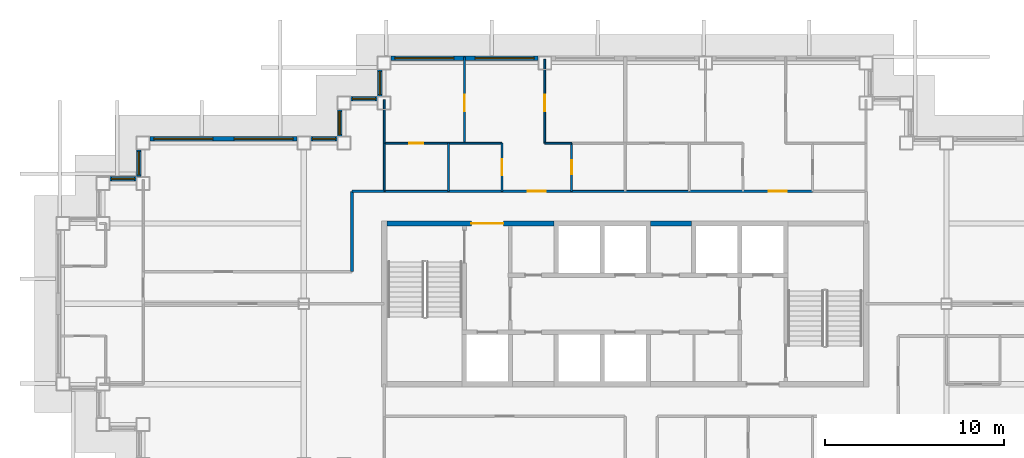
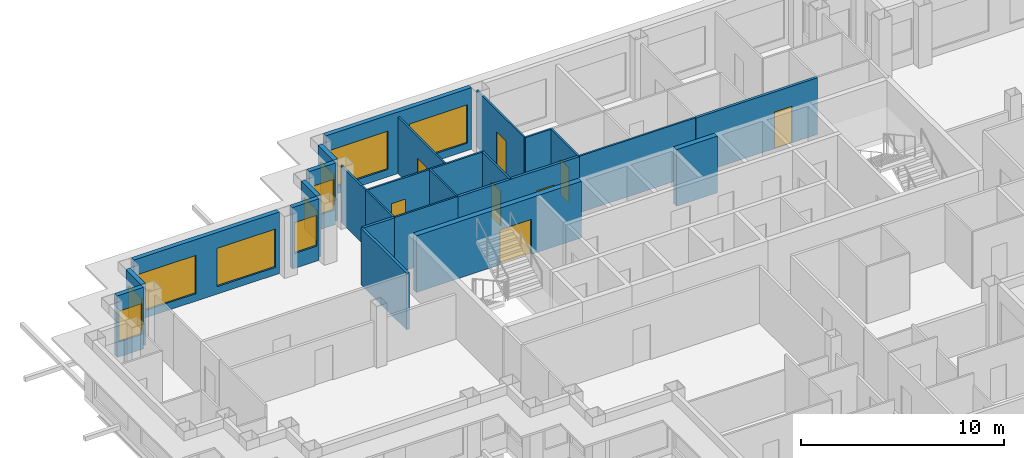
# One storey, part 8 of 15: 26 walls, 10 windows, 8 doors, 18 openings.
"""IFC4 building model written with IfcOpenShell, lengths in metres."""

from ifc_helpers import new_model, si_unit, direction, frame, frame_2d, origin, place, context, subcontext, project, spatial, rectangle, extrude, material, layer, layer_set, type_object, element, fill, save


model = new_model("IFC4")

# Units and contexts
model_context = context("Model", 3, precision=1e-05, world=origin(), true_north=direction((0.0, 1.0)))
body_context = subcontext(model_context, "Body", "Model", "MODEL_VIEW")
ifc_project = project(units=[si_unit("LENGTHUNIT", "METRE"), si_unit("AREAUNIT", "SQUARE_METRE"), si_unit("VOLUMEUNIT", "CUBIC_METRE"), si_unit("PLANEANGLEUNIT", "RADIAN"), si_unit("MASSUNIT", "GRAM", prefix="KILO")], contexts=[model_context])

# Site, building, storey
site_placement = place(None, origin())
site = spatial("IfcSite", under=ifc_project, at=site_placement, CompositionType="ELEMENT")
building_placement = place(site_placement, origin())
building = spatial("IfcBuilding", under=site, at=building_placement, Name="Caravel Reach Hotel and Residences", CompositionType="ELEMENT")
storey_placement = place(building_placement, frame((0.0, 0.0, 172.800048828125)))
storey = spatial("IfcBuildingStorey", under=building, at=storey_placement, Name="L43", CompositionType="ELEMENT", Elevation=172.800048828125)

# Walls
ifc_material_1 = material(Name="Gypsum board on steel stud", Category="steel")
ifc_layer_1 = layer(ifc_material_1, 0.10009765625)
ifc_layer_set_1 = layer_set([ifc_layer_1], Name="Bathroom pod wall 100 mm")
wall_type_1 = type_object("IfcWallType", Name="Bathroom pod wall 100 mm", PredefinedType="PARTITIONING", material=ifc_layer_set_1)
wall_1_placement = place(storey_placement, frame((28.5, 33.300048828125, 0.0), z_axis=(0.0, 0.0, 1.0), x_axis=(1.0, 0.0, 0.0)))
element("IfcWall", 1, at=wall_1_placement, inside=storey, type_object=wall_type_1, Name="L43 wall w098", PredefinedType="PARTITIONING", context=body_context, shape_type="SweptSolid", body=[
    extrude(rectangle(XDim=6.60009765625, YDim=0.10009765625, at=frame_2d((3.300048828125, 0.0))), origin(), (0.0, 0.0, 1.0), 3.39990234375),
])
wall_2_placement = place(storey_placement, frame((18.0, 33.300048828125, 0.0), z_axis=(0.0, 0.0, 1.0), x_axis=(1.0, 0.0, 0.0)))
element("IfcWall", 2, at=wall_2_placement, inside=storey, type_object=wall_type_1, Name="L43 wall w099", PredefinedType="PARTITIONING", context=body_context, shape_type="SweptSolid", body=[
    extrude(rectangle(XDim=3.60009765625, YDim=0.10009765625, at=frame_2d((1.800048828125, 0.0))), origin(), (0.0, 0.0, 1.0), 3.39990234375),
])

# Wall, opening, door
wall_3_placement = place(storey_placement, frame((18.0, 36.0, 0.0), z_axis=(0.0, 0.0, 1.0), x_axis=(1.0, 0.0, 0.0)))
wall_3 = element("IfcWall", 3, at=wall_3_placement, inside=storey, type_object=wall_type_1, Name="L43 wall w103", PredefinedType="PARTITIONING", context=body_context, shape_type="SweptSolid", body=[
    extrude(rectangle(XDim=3.60009765625, YDim=0.10009765625, at=frame_2d((1.800048828125, 0.0))), origin(), (0.0, 0.0, 1.0), 3.39990234375),
])
opening_1_placement = place(wall_3_placement, frame((1.39990234375, 0.0, 0.0)))
opening_1 = element("IfcOpeningElement", 4, at=opening_1_placement, cuts=wall_3, Name="Opening D43-018", PredefinedType="OPENING", context=body_context, shape_type="SweptSolid", body=[
    extrude(rectangle(XDim=0.800048828125, YDim=2.10009765625, at=frame_2d((0.39990234375, 1.050048828125))), frame((0.0, 0.06005859375, 0.0), z_axis=(0.0, -1.0, 0.0), x_axis=(1.0, 0.0, 0.0)), (0.0, 0.0, 1.0), 0.1201171875),
])
ifc_material_2 = material(Name="Timber and steel door leaf", Category="steel")
door_type_1 = type_object("IfcDoorType", Name="Bathroom door 800 x 2100", OperationType="SINGLE_SWING_LEFT", PredefinedType="DOOR", material=ifc_material_2)
door_1_placement = place(opening_1_placement, origin())
door_1 = element("IfcDoor", 5, at=door_1_placement, inside=storey, type_object=door_type_1, Name="door D43-018", OperationType="SINGLE_SWING_RIGHT", OverallHeight=2.10009765625, OverallWidth=0.800048828125, PredefinedType="DOOR", context=body_context, shape_type="SweptSolid", body=[
    extrude(rectangle(XDim=0.800048828125, YDim=2.10009765625, at=frame_2d((0.39990234375, 1.050048828125))), frame((0.0, 0.02490234375, 0.0), z_axis=(0.0, -1.0, 0.0), x_axis=(1.0, 0.0, 0.0)), (0.0, 0.0, 1.0), 0.050048828125),
])
fill(opening_1, door_1)

# Walls
wall_4_placement = place(storey_placement, frame((18.0, 33.301025390625, 0.0), z_axis=(0.0, 0.0, 1.0), x_axis=(0.0, 1.0, 0.0)))
element("IfcWall", 6, at=wall_4_placement, inside=storey, type_object=wall_type_1, Name="L43 wall w106", PredefinedType="PARTITIONING", context=body_context, shape_type="SweptSolid", body=[
    extrude(rectangle(XDim=2.698974609375, YDim=0.10009765625, at=frame_2d((1.349609375, 0.0))), origin(), (0.0, 0.0, 1.0), 3.39990234375),
])
wall_5_placement = place(storey_placement, frame((21.60009765625, 33.300048828125, 0.0), z_axis=(0.0, 0.0, 1.0), x_axis=(0.0, 1.0, 0.0)))
element("IfcWall", 7, at=wall_5_placement, inside=storey, type_object=wall_type_1, Name="L43 wall w108", PredefinedType="PARTITIONING", context=body_context, shape_type="SweptSolid", body=[
    extrude(rectangle(XDim=2.699951171875, YDim=0.10009765625, at=frame_2d((1.35009765625, 0.0))), origin(), (0.0, 0.0, 1.0), 3.39990234375),
])

# Wall, opening, door
wall_6_placement = place(storey_placement, frame((28.5, 33.300048828125, 0.0), z_axis=(0.0, 0.0, 1.0), x_axis=(0.0, 1.0, 0.0)))
wall_6 = element("IfcWall", 8, at=wall_6_placement, inside=storey, type_object=wall_type_1, Name="L43 wall w110", PredefinedType="PARTITIONING", context=body_context, shape_type="SweptSolid", body=[
    extrude(rectangle(XDim=2.699951171875, YDim=0.10009765625, at=frame_2d((1.35009765625, 0.0))), origin(), (0.0, 0.0, 1.0), 3.39990234375),
])
opening_2_placement = place(wall_6_placement, frame((0.949951171875, 0.0, 0.0)))
opening_2 = element("IfcOpeningElement", 9, at=opening_2_placement, cuts=wall_6, Name="Opening D43-020", PredefinedType="OPENING", context=body_context, shape_type="SweptSolid", body=[
    extrude(rectangle(XDim=0.800048828125, YDim=2.10009765625, at=frame_2d((0.39990234375, 1.050048828125))), frame((0.0, 0.06005859375, 0.0), z_axis=(0.0, -1.0, 0.0), x_axis=(1.0, 0.0, 0.0)), (0.0, 0.0, 1.0), 0.1201171875),
])
door_2_placement = place(opening_2_placement, origin())
door_2 = element("IfcDoor", 10, at=door_2_placement, inside=storey, type_object=door_type_1, Name="door D43-020", OperationType="SINGLE_SWING_RIGHT", OverallHeight=2.10009765625, OverallWidth=0.800048828125, PredefinedType="DOOR", context=body_context, shape_type="SweptSolid", body=[
    extrude(rectangle(XDim=0.800048828125, YDim=2.10009765625, at=frame_2d((0.39990234375, 1.050048828125))), frame((0.0, 0.02490234375, 0.0), z_axis=(0.0, -1.0, 0.0), x_axis=(1.0, 0.0, 0.0)), (0.0, 0.0, 1.0), 0.050048828125),
])
fill(opening_2, door_2)

ifc_material_3 = material(Name="Concrete C60", Category="concrete")
ifc_layer_2 = layer(ifc_material_3, 0.300048828125)
ifc_layer_set_2 = layer_set([ifc_layer_2], Name="Core wall 300 mm EI 120")
wall_type_2 = type_object("IfcWallType", Name="Core wall 300 mm EI 120", PredefinedType="SHEAR", material=ifc_layer_set_2)
wall_7_placement = place(storey_placement, frame((18.14990234375, 31.5, 0.0), z_axis=(0.0, 0.0, 1.0), x_axis=(1.0, 0.0, 0.0)))
wall_7 = element("IfcWall", 11, at=wall_7_placement, inside=storey, type_object=wall_type_2, Name="L43 core wall N1", PredefinedType="SHEAR", context=body_context, shape_type="SweptSolid", body=[
    extrude(rectangle(XDim=9.367919921875, YDim=0.300048828125, at=frame_2d((4.68408203125, 0.0))), origin(), (0.0, 0.0, 1.0), 3.39990234375),
])
opening_3_placement = place(wall_7_placement, frame((4.735595703125, 0.0, 0.0)))
opening_3 = element("IfcOpeningElement", 12, at=opening_3_placement, cuts=wall_7, Name="Opening D43-015", PredefinedType="OPENING", context=body_context, shape_type="SweptSolid", body=[
    extrude(rectangle(XDim=1.800048828125, YDim=2.10009765625, at=frame_2d((0.89990234375, 1.050048828125))), frame((0.0, 0.159912109375, 0.0), z_axis=(0.0, -1.0, 0.0), x_axis=(1.0, 0.0, 0.0)), (0.0, 0.0, 1.0), 0.320068359375),
])
ifc_material_4 = material(Name="Steel fire door leaf", Category="steel")
door_type_2 = type_object("IfcDoorType", Name="Fire lobby door pair 1800 x 2100 EI 90", OperationType="DOUBLE_DOOR_SINGLE_SWING", PredefinedType="DOOR", material=ifc_material_4)
door_3_placement = place(opening_3_placement, origin())
door_3 = element("IfcDoor", 13, at=door_3_placement, inside=storey, type_object=door_type_2, Name="lobby N door pair to corridor", OperationType="DOUBLE_DOOR_SINGLE_SWING", OverallHeight=2.10009765625, OverallWidth=1.800048828125, PredefinedType="DOOR", context=body_context, shape_type="SweptSolid", body=[
    extrude(rectangle(XDim=1.800048828125, YDim=2.10009765625, at=frame_2d((0.89990234375, 1.050048828125))), frame((0.0, 0.02490234375, 0.0), z_axis=(0.0, -1.0, 0.0), x_axis=(1.0, 0.0, 0.0)), (0.0, 0.0, 1.0), 0.050048828125),
])
fill(opening_3, door_3)

# Wall
wall_8_placement = place(storey_placement, frame((32.91064453125, 31.5, 0.0), z_axis=(0.0, 0.0, 1.0), x_axis=(1.0, 0.0, 0.0)))
element("IfcWall", 14, at=wall_8_placement, inside=storey, type_object=wall_type_2, Name="L43 core wall N2", PredefinedType="SHEAR", context=body_context, shape_type="SweptSolid", body=[
    extrude(rectangle(XDim=2.321533203125, YDim=0.300048828125, at=frame_2d((1.16064453125, 0.0))), origin(), (0.0, 0.0, 1.0), 3.39990234375),
])

# Wall, opening, door
ifc_material_5 = material(Name="Gypsum board on steel stud, fire-rated", Category="steel")
ifc_layer_3 = layer(ifc_material_5, 0.14990234375)
ifc_layer_set_3 = layer_set([ifc_layer_3], Name="Corridor wall 150 mm EI 60")
wall_type_3 = type_object("IfcWallType", Name="Corridor wall 150 mm EI 60", PredefinedType="PARTITIONING", material=ifc_layer_set_3)
wall_9_placement = place(storey_placement, frame((21.60009765625, 33.300048828125, 0.0), z_axis=(0.0, 0.0, 1.0), x_axis=(1.0, 0.0, 0.0)))
wall_9 = element("IfcWall", 15, at=wall_9_placement, inside=storey, type_object=wall_type_3, Name="L43 wall w014", PredefinedType="PARTITIONING", context=body_context, shape_type="SweptSolid", body=[
    extrude(rectangle(XDim=6.89990234375, YDim=0.14990234375, at=frame_2d((3.449951171875, 0.0))), origin(), (0.0, 0.0, 1.0), 3.39990234375),
])
opening_4_placement = place(wall_9_placement, frame((4.449951171875, 0.0, 0.0)))
opening_4 = element("IfcOpeningElement", 16, at=opening_4_placement, cuts=wall_9, Name="Opening D43-017", PredefinedType="OPENING", context=body_context, shape_type="SweptSolid", body=[
    extrude(rectangle(XDim=1.0, YDim=2.199951171875, at=frame_2d((0.5, 1.10009765625))), frame((0.0, 0.0849609375, 0.0), z_axis=(0.0, -1.0, 0.0), x_axis=(1.0, 0.0, 0.0)), (0.0, 0.0, 1.0), 0.169921875),
])
ifc_material_6 = material(Name="Steel fire door leaf", Category="steel")
door_type_3 = type_object("IfcDoorType", Name="Flat entrance door 1000 x 2200 EI 60", OperationType="SINGLE_SWING_LEFT", PredefinedType="DOOR", material=ifc_material_6)
door_4_placement = place(opening_4_placement, origin())
door_4 = element("IfcDoor", 17, at=door_4_placement, inside=storey, type_object=door_type_3, Name="door D43-017", OperationType="SINGLE_SWING_LEFT", OverallHeight=2.199951171875, OverallWidth=1.0, PredefinedType="DOOR", context=body_context, shape_type="SweptSolid", body=[
    extrude(rectangle(XDim=1.0, YDim=2.199951171875, at=frame_2d((0.5, 1.10009765625))), frame((0.0, 0.02490234375, 0.0), z_axis=(0.0, -1.0, 0.0), x_axis=(1.0, 0.0, 0.0)), (0.0, 0.0, 1.0), 0.050048828125),
])
fill(opening_4, door_4)

wall_10_placement = place(storey_placement, frame((35.10009765625, 33.300048828125, 0.0), z_axis=(0.0, 0.0, 1.0), x_axis=(1.0, 0.0, 0.0)))
wall_10 = element("IfcWall", 18, at=wall_10_placement, inside=storey, type_object=wall_type_3, Name="L43 wall w016", PredefinedType="PARTITIONING", context=body_context, shape_type="SweptSolid", body=[
    extrude(rectangle(XDim=6.89990234375, YDim=0.14990234375, at=frame_2d((3.449951171875, 0.0))), origin(), (0.0, 0.0, 1.0), 3.39990234375),
])
opening_5_placement = place(wall_10_placement, frame((4.449951171875, 0.0, 0.0)))
opening_5 = element("IfcOpeningElement", 19, at=opening_5_placement, cuts=wall_10, Name="Opening D43-023", PredefinedType="OPENING", context=body_context, shape_type="SweptSolid", body=[
    extrude(rectangle(XDim=1.0, YDim=2.199951171875, at=frame_2d((0.5, 1.10009765625))), frame((0.0, 0.0849609375, 0.0), z_axis=(0.0, -1.0, 0.0), x_axis=(1.0, 0.0, 0.0)), (0.0, 0.0, 1.0), 0.169921875),
])
door_5_placement = place(opening_5_placement, origin())
door_5 = element("IfcDoor", 20, at=door_5_placement, inside=storey, type_object=door_type_3, Name="door D43-023", OperationType="SINGLE_SWING_LEFT", OverallHeight=2.199951171875, OverallWidth=1.0, PredefinedType="DOOR", context=body_context, shape_type="SweptSolid", body=[
    extrude(rectangle(XDim=1.0, YDim=2.199951171875, at=frame_2d((0.5, 1.10009765625))), frame((0.0, 0.02490234375, 0.0), z_axis=(0.0, -1.0, 0.0), x_axis=(1.0, 0.0, 0.0)), (0.0, 0.0, 1.0), 0.050048828125),
])
fill(opening_5, door_5)

# Walls
wall_11_placement = place(storey_placement, frame((16.199951171875, 33.300048828125, 0.0), z_axis=(0.0, 0.0, 1.0), x_axis=(1.0, 0.0, 0.0)))
element("IfcWall", 21, at=wall_11_placement, inside=storey, type_object=wall_type_3, Name="L43 wall w017", PredefinedType="PARTITIONING", context=body_context, shape_type="SweptSolid", body=[
    extrude(rectangle(XDim=1.799072265625, YDim=0.14990234375, at=frame_2d((0.8994140625, 0.0))), origin(), (0.0, 0.0, 1.0), 3.39990234375),
])
wall_12_placement = place(storey_placement, frame((16.199951171875, 28.801025390625, 0.0), z_axis=(0.0, 0.0, 1.0), x_axis=(0.0, 1.0, 0.0)))
element("IfcWall", 22, at=wall_12_placement, inside=storey, type_object=wall_type_3, Name="L43 wall w019", PredefinedType="PARTITIONING", context=body_context, shape_type="SweptSolid", body=[
    extrude(rectangle(XDim=4.4990234375, YDim=0.14990234375, at=frame_2d((2.24951171875, 0.0))), origin(), (0.0, 0.0, 1.0), 3.39990234375),
])

# Wall, openings, windows
ifc_material_7 = material(Name="Insulated rainscreen wall, aluminium cladding", Category="aluminium")
ifc_layer_4 = layer(ifc_material_7, 0.25)
ifc_layer_set_4 = layer_set([ifc_layer_4], Name="EW1 Tower rainscreen wall")
wall_type_4 = type_object("IfcWallType", Name="EW1 Tower rainscreen wall", PredefinedType="SOLIDWALL", material=ifc_layer_set_4)
wall_13_placement = place(storey_placement, frame((26.625, 40.75, 0.0), z_axis=(0.0, 0.0, 1.0), x_axis=(-1.0, 0.0, 0.0)))
wall_13 = element("IfcWall", 23, at=wall_13_placement, inside=storey, type_object=wall_type_4, Name="External wall L43 N29.3", PredefinedType="SOLIDWALL", context=body_context, shape_type="SweptSolid", body=[
    extrude(rectangle(XDim=8.25, YDim=0.25, at=frame_2d((4.125, 0.0))), origin(), (0.0, 0.0, 1.0), 3.699951171875),
])
opening_6_placement = place(wall_13_placement, frame((0.22509765625, 0.0, 0.449951171875)))
opening_6 = element("IfcOpeningElement", 24, at=opening_6_placement, cuts=wall_13, Name="Opening WN15", PredefinedType="OPENING", context=body_context, shape_type="SweptSolid", body=[
    extrude(rectangle(XDim=3.300048828125, YDim=2.300048828125, at=frame_2d((1.64990234375, 1.14990234375))), frame((0.0, 0.135009765625, 0.0), z_axis=(0.0, -1.0, 0.0), x_axis=(1.0, 0.0, 0.0)), (0.0, 0.0, 1.0), 0.27001953125),
])
opening_7_placement = place(wall_13_placement, frame((4.72509765625, 0.0, 0.449951171875)))
opening_7 = element("IfcOpeningElement", 25, at=opening_7_placement, cuts=wall_13, Name="Opening WN15", PredefinedType="OPENING", context=body_context, shape_type="SweptSolid", body=[
    extrude(rectangle(XDim=3.300048828125, YDim=2.300048828125, at=frame_2d((1.64990234375, 1.14990234375))), frame((0.0, 0.135009765625, 0.0), z_axis=(0.0, -1.0, 0.0), x_axis=(1.0, 0.0, 0.0)), (0.0, 0.0, 1.0), 0.27001953125),
])
ifc_material_8 = material(Name="Dark low-e glazing in black aluminium frame", Category="aluminium")
window_type_1 = type_object("IfcWindowType", Name="Residence living window 3300 x 2300", PartitioningType="SINGLE_PANEL", PredefinedType="WINDOW", material=ifc_material_8)
window_1_placement = place(opening_6_placement, origin())
window_1 = element("IfcWindow", 26, at=window_1_placement, inside=storey, type_object=window_type_1, Name="Window L43 N29.3.1", OverallHeight=2.300048828125, OverallWidth=3.300048828125, PartitioningType="SINGLE_PANEL", PredefinedType="WINDOW", context=body_context, shape_type="SweptSolid", body=[
    extrude(rectangle(XDim=3.300048828125, YDim=2.300048828125, at=frame_2d((1.64990234375, 1.14990234375))), frame((0.0, 0.030029296875, 0.0), z_axis=(0.0, -1.0, 0.0), x_axis=(1.0, 0.0, 0.0)), (0.0, 0.0, 1.0), 0.06005859375),
])
fill(opening_6, window_1)
window_2_placement = place(opening_7_placement, origin())
window_2 = element("IfcWindow", 27, at=window_2_placement, inside=storey, type_object=window_type_1, Name="Window L43 N29.3.2", OverallHeight=2.300048828125, OverallWidth=3.300048828125, PartitioningType="SINGLE_PANEL", PredefinedType="WINDOW", context=body_context, shape_type="SweptSolid", body=[
    extrude(rectangle(XDim=3.300048828125, YDim=2.300048828125, at=frame_2d((1.64990234375, 1.14990234375))), frame((0.0, 0.030029296875, 0.0), z_axis=(0.0, -1.0, 0.0), x_axis=(1.0, 0.0, 0.0)), (0.0, 0.0, 1.0), 0.06005859375),
])
fill(opening_7, window_2)

# Wall, opening, window
wall_14_placement = place(storey_placement, frame((17.75, 40.125, 0.0), z_axis=(0.0, 0.0, 1.0), x_axis=(0.0, -1.0, 0.0)))
wall_14 = element("IfcWall", 28, at=wall_14_placement, inside=storey, type_object=wall_type_4, Name="External wall L43 W30.1", PredefinedType="SOLIDWALL", context=body_context, shape_type="SweptSolid", body=[
    extrude(rectangle(XDim=1.5, YDim=0.25, at=frame_2d((0.75, 0.0))), origin(), (0.0, 0.0, 1.0), 3.699951171875),
])
opening_8_placement = place(wall_14_placement, frame((0.10009765625, 0.0, 0.89990234375)))
opening_8 = element("IfcOpeningElement", 29, at=opening_8_placement, cuts=wall_14, Name="Opening WN16", PredefinedType="OPENING", context=body_context, shape_type="SweptSolid", body=[
    extrude(rectangle(XDim=1.300048828125, YDim=1.85009765625, at=frame_2d((0.64990234375, 0.925048828125))), frame((0.0, 0.135009765625, 0.0), z_axis=(0.0, -1.0, 0.0), x_axis=(1.0, 0.0, 0.0)), (0.0, 0.0, 1.0), 0.27001953125),
])
ifc_material_9 = material(Name="Dark low-e glazing in black aluminium frame", Category="aluminium")
window_type_2 = type_object("IfcWindowType", Name="Residence bedroom window 1300 x 1850", PartitioningType="SINGLE_PANEL", PredefinedType="WINDOW", material=ifc_material_9)
window_3_placement = place(opening_8_placement, origin())
window_3 = element("IfcWindow", 30, at=window_3_placement, inside=storey, type_object=window_type_2, Name="Window L43 W30.1.1", OverallHeight=1.85009765625, OverallWidth=1.300048828125, PartitioningType="SINGLE_PANEL", PredefinedType="WINDOW", context=body_context, shape_type="SweptSolid", body=[
    extrude(rectangle(XDim=1.300048828125, YDim=1.85009765625, at=frame_2d((0.64990234375, 0.925048828125))), frame((0.0, 0.030029296875, 0.0), z_axis=(0.0, -1.0, 0.0), x_axis=(1.0, 0.0, 0.0)), (0.0, 0.0, 1.0), 0.06005859375),
])
fill(opening_8, window_3)

wall_15_placement = place(storey_placement, frame((17.625, 38.5, 0.0), z_axis=(0.0, 0.0, 1.0), x_axis=(-1.0, 0.0, 0.0)))
wall_15 = element("IfcWall", 31, at=wall_15_placement, inside=storey, type_object=wall_type_4, Name="External wall L43 N31.1", PredefinedType="SOLIDWALL", context=body_context, shape_type="SweptSolid", body=[
    extrude(rectangle(XDim=1.5, YDim=0.25, at=frame_2d((0.75, 0.0))), origin(), (0.0, 0.0, 1.0), 3.699951171875),
])
opening_9_placement = place(wall_15_placement, frame((0.10009765625, 0.0, 0.89990234375)))
opening_9 = element("IfcOpeningElement", 32, at=opening_9_placement, cuts=wall_15, Name="Opening WN16", PredefinedType="OPENING", context=body_context, shape_type="SweptSolid", body=[
    extrude(rectangle(XDim=1.300048828125, YDim=1.85009765625, at=frame_2d((0.64990234375, 0.925048828125))), frame((0.0, 0.135009765625, 0.0), z_axis=(0.0, -1.0, 0.0), x_axis=(1.0, 0.0, 0.0)), (0.0, 0.0, 1.0), 0.27001953125),
])
window_4_placement = place(opening_9_placement, origin())
window_4 = element("IfcWindow", 33, at=window_4_placement, inside=storey, type_object=window_type_2, Name="Window L43 N31.1.1", OverallHeight=1.85009765625, OverallWidth=1.300048828125, PartitioningType="SINGLE_PANEL", PredefinedType="WINDOW", context=body_context, shape_type="SweptSolid", body=[
    extrude(rectangle(XDim=1.300048828125, YDim=1.85009765625, at=frame_2d((0.64990234375, 0.925048828125))), frame((0.0, 0.030029296875, 0.0), z_axis=(0.0, -1.0, 0.0), x_axis=(1.0, 0.0, 0.0)), (0.0, 0.0, 1.0), 0.06005859375),
])
fill(opening_9, window_4)

wall_16_placement = place(storey_placement, frame((15.5, 37.875, 0.0), z_axis=(0.0, 0.0, 1.0), x_axis=(0.0, -1.0, 0.0)))
wall_16 = element("IfcWall", 34, at=wall_16_placement, inside=storey, type_object=wall_type_4, Name="External wall L43 W32.1", PredefinedType="SOLIDWALL", context=body_context, shape_type="SweptSolid", body=[
    extrude(rectangle(XDim=1.5, YDim=0.25, at=frame_2d((0.75, 0.0))), origin(), (0.0, 0.0, 1.0), 3.699951171875),
])
opening_10_placement = place(wall_16_placement, frame((0.10009765625, 0.0, 0.89990234375)))
opening_10 = element("IfcOpeningElement", 35, at=opening_10_placement, cuts=wall_16, Name="Opening WN16", PredefinedType="OPENING", context=body_context, shape_type="SweptSolid", body=[
    extrude(rectangle(XDim=1.300048828125, YDim=1.85009765625, at=frame_2d((0.64990234375, 0.925048828125))), frame((0.0, 0.135009765625, 0.0), z_axis=(0.0, -1.0, 0.0), x_axis=(1.0, 0.0, 0.0)), (0.0, 0.0, 1.0), 0.27001953125),
])
window_5_placement = place(opening_10_placement, origin())
window_5 = element("IfcWindow", 36, at=window_5_placement, inside=storey, type_object=window_type_2, Name="Window L43 W32.1.1", OverallHeight=1.85009765625, OverallWidth=1.300048828125, PartitioningType="SINGLE_PANEL", PredefinedType="WINDOW", context=body_context, shape_type="SweptSolid", body=[
    extrude(rectangle(XDim=1.300048828125, YDim=1.85009765625, at=frame_2d((0.64990234375, 0.925048828125))), frame((0.0, 0.030029296875, 0.0), z_axis=(0.0, -1.0, 0.0), x_axis=(1.0, 0.0, 0.0)), (0.0, 0.0, 1.0), 0.06005859375),
])
fill(opening_10, window_5)

wall_17_placement = place(storey_placement, frame((15.375, 36.25, 0.0), z_axis=(0.0, 0.0, 1.0), x_axis=(-1.0, 0.0, 0.0)))
wall_17 = element("IfcWall", 37, at=wall_17_placement, inside=storey, type_object=wall_type_4, Name="External wall L43 N33.1", PredefinedType="SOLIDWALL", context=body_context, shape_type="SweptSolid", body=[
    extrude(rectangle(XDim=1.5, YDim=0.25, at=frame_2d((0.75, 0.0))), origin(), (0.0, 0.0, 1.0), 3.699951171875),
])
opening_11_placement = place(wall_17_placement, frame((0.10009765625, 0.0, 0.89990234375)))
opening_11 = element("IfcOpeningElement", 38, at=opening_11_placement, cuts=wall_17, Name="Opening WN16", PredefinedType="OPENING", context=body_context, shape_type="SweptSolid", body=[
    extrude(rectangle(XDim=1.300048828125, YDim=1.85009765625, at=frame_2d((0.64990234375, 0.925048828125))), frame((0.0, 0.135009765625, 0.0), z_axis=(0.0, -1.0, 0.0), x_axis=(1.0, 0.0, 0.0)), (0.0, 0.0, 1.0), 0.27001953125),
])
window_6_placement = place(opening_11_placement, origin())
window_6 = element("IfcWindow", 39, at=window_6_placement, inside=storey, type_object=window_type_2, Name="Window L43 N33.1.1", OverallHeight=1.85009765625, OverallWidth=1.300048828125, PartitioningType="SINGLE_PANEL", PredefinedType="WINDOW", context=body_context, shape_type="SweptSolid", body=[
    extrude(rectangle(XDim=1.300048828125, YDim=1.85009765625, at=frame_2d((0.64990234375, 0.925048828125))), frame((0.0, 0.030029296875, 0.0), z_axis=(0.0, -1.0, 0.0), x_axis=(1.0, 0.0, 0.0)), (0.0, 0.0, 1.0), 0.06005859375),
])
fill(opening_11, window_6)

# Wall, openings, windows
wall_18_placement = place(storey_placement, frame((13.125, 36.25, 0.0), z_axis=(0.0, 0.0, 1.0), x_axis=(-1.0, 0.0, 0.0)))
wall_18 = element("IfcWall", 40, at=wall_18_placement, inside=storey, type_object=wall_type_4, Name="External wall L43 N33.2", PredefinedType="SOLIDWALL", context=body_context, shape_type="SweptSolid", body=[
    extrude(rectangle(XDim=8.25, YDim=0.25, at=frame_2d((4.125, 0.0))), origin(), (0.0, 0.0, 1.0), 3.699951171875),
])
opening_12_placement = place(wall_18_placement, frame((0.22509765625, 0.0, 0.449951171875)))
opening_12 = element("IfcOpeningElement", 41, at=opening_12_placement, cuts=wall_18, Name="Opening WN15", PredefinedType="OPENING", context=body_context, shape_type="SweptSolid", body=[
    extrude(rectangle(XDim=3.300048828125, YDim=2.300048828125, at=frame_2d((1.64990234375, 1.14990234375))), frame((0.0, 0.135009765625, 0.0), z_axis=(0.0, -1.0, 0.0), x_axis=(1.0, 0.0, 0.0)), (0.0, 0.0, 1.0), 0.27001953125),
])
opening_13_placement = place(wall_18_placement, frame((4.72509765625, 0.0, 0.449951171875)))
opening_13 = element("IfcOpeningElement", 42, at=opening_13_placement, cuts=wall_18, Name="Opening WN15", PredefinedType="OPENING", context=body_context, shape_type="SweptSolid", body=[
    extrude(rectangle(XDim=3.300048828125, YDim=2.300048828125, at=frame_2d((1.64990234375, 1.14990234375))), frame((0.0, 0.135009765625, 0.0), z_axis=(0.0, -1.0, 0.0), x_axis=(1.0, 0.0, 0.0)), (0.0, 0.0, 1.0), 0.27001953125),
])
window_7_placement = place(opening_12_placement, origin())
window_7 = element("IfcWindow", 43, at=window_7_placement, inside=storey, type_object=window_type_1, Name="Window L43 N33.2.1", OverallHeight=2.300048828125, OverallWidth=3.300048828125, PartitioningType="SINGLE_PANEL", PredefinedType="WINDOW", context=body_context, shape_type="SweptSolid", body=[
    extrude(rectangle(XDim=3.300048828125, YDim=2.300048828125, at=frame_2d((1.64990234375, 1.14990234375))), frame((0.0, 0.030029296875, 0.0), z_axis=(0.0, -1.0, 0.0), x_axis=(1.0, 0.0, 0.0)), (0.0, 0.0, 1.0), 0.06005859375),
])
fill(opening_12, window_7)
window_8_placement = place(opening_13_placement, origin())
window_8 = element("IfcWindow", 44, at=window_8_placement, inside=storey, type_object=window_type_1, Name="Window L43 N33.2.2", OverallHeight=2.300048828125, OverallWidth=3.300048828125, PartitioningType="SINGLE_PANEL", PredefinedType="WINDOW", context=body_context, shape_type="SweptSolid", body=[
    extrude(rectangle(XDim=3.300048828125, YDim=2.300048828125, at=frame_2d((1.64990234375, 1.14990234375))), frame((0.0, 0.030029296875, 0.0), z_axis=(0.0, -1.0, 0.0), x_axis=(1.0, 0.0, 0.0)), (0.0, 0.0, 1.0), 0.06005859375),
])
fill(opening_13, window_8)

# Wall, opening, window
wall_19_placement = place(storey_placement, frame((4.25, 35.625, 0.0), z_axis=(0.0, 0.0, 1.0), x_axis=(0.0, -1.0, 0.0)))
wall_19 = element("IfcWall", 45, at=wall_19_placement, inside=storey, type_object=wall_type_4, Name="External wall L43 W34.1", PredefinedType="SOLIDWALL", context=body_context, shape_type="SweptSolid", body=[
    extrude(rectangle(XDim=1.5, YDim=0.25, at=frame_2d((0.75, 0.0))), origin(), (0.0, 0.0, 1.0), 3.699951171875),
])
opening_14_placement = place(wall_19_placement, frame((0.10009765625, 0.0, 0.89990234375)))
opening_14 = element("IfcOpeningElement", 46, at=opening_14_placement, cuts=wall_19, Name="Opening WN16", PredefinedType="OPENING", context=body_context, shape_type="SweptSolid", body=[
    extrude(rectangle(XDim=1.300048828125, YDim=1.85009765625, at=frame_2d((0.64990234375, 0.925048828125))), frame((0.0, 0.135009765625, 0.0), z_axis=(0.0, -1.0, 0.0), x_axis=(1.0, 0.0, 0.0)), (0.0, 0.0, 1.0), 0.27001953125),
])
window_9_placement = place(opening_14_placement, origin())
window_9 = element("IfcWindow", 47, at=window_9_placement, inside=storey, type_object=window_type_2, Name="Window L43 W34.1.1", OverallHeight=1.85009765625, OverallWidth=1.300048828125, PartitioningType="SINGLE_PANEL", PredefinedType="WINDOW", context=body_context, shape_type="SweptSolid", body=[
    extrude(rectangle(XDim=1.300048828125, YDim=1.85009765625, at=frame_2d((0.64990234375, 0.925048828125))), frame((0.0, 0.030029296875, 0.0), z_axis=(0.0, -1.0, 0.0), x_axis=(1.0, 0.0, 0.0)), (0.0, 0.0, 1.0), 0.06005859375),
])
fill(opening_14, window_9)

wall_20_placement = place(storey_placement, frame((4.125, 34.0, 0.0), z_axis=(0.0, 0.0, 1.0), x_axis=(-1.0, 0.0, 0.0)))
wall_20 = element("IfcWall", 48, at=wall_20_placement, inside=storey, type_object=wall_type_4, Name="External wall L43 N35.1", PredefinedType="SOLIDWALL", context=body_context, shape_type="SweptSolid", body=[
    extrude(rectangle(XDim=1.5, YDim=0.25, at=frame_2d((0.75, 0.0))), origin(), (0.0, 0.0, 1.0), 3.699951171875),
])
opening_15_placement = place(wall_20_placement, frame((0.10009765625, 0.0, 0.89990234375)))
opening_15 = element("IfcOpeningElement", 49, at=opening_15_placement, cuts=wall_20, Name="Opening WN16", PredefinedType="OPENING", context=body_context, shape_type="SweptSolid", body=[
    extrude(rectangle(XDim=1.300048828125, YDim=1.85009765625, at=frame_2d((0.64990234375, 0.925048828125))), frame((0.0, 0.135009765625, 0.0), z_axis=(0.0, -1.0, 0.0), x_axis=(1.0, 0.0, 0.0)), (0.0, 0.0, 1.0), 0.27001953125),
])
window_10_placement = place(opening_15_placement, origin())
window_10 = element("IfcWindow", 50, at=window_10_placement, inside=storey, type_object=window_type_2, Name="Window L43 N35.1.1", OverallHeight=1.85009765625, OverallWidth=1.300048828125, PartitioningType="SINGLE_PANEL", PredefinedType="WINDOW", context=body_context, shape_type="SweptSolid", body=[
    extrude(rectangle(XDim=1.300048828125, YDim=1.85009765625, at=frame_2d((0.64990234375, 0.925048828125))), frame((0.0, 0.030029296875, 0.0), z_axis=(0.0, -1.0, 0.0), x_axis=(1.0, 0.0, 0.0)), (0.0, 0.0, 1.0), 0.06005859375),
])
fill(opening_15, window_10)

# Walls
ifc_material_10 = material(Name="Gypsum board on steel stud", Category="steel")
ifc_layer_5 = layer(ifc_material_10, 0.10009765625)
ifc_layer_set_5 = layer_set([ifc_layer_5], Name="Partition 100 mm")
wall_type_5 = type_object("IfcWallType", Name="Partition 100 mm", PredefinedType="PARTITIONING", material=ifc_layer_set_5)
wall_21_placement = place(storey_placement, frame((27.0, 36.0, 0.0), z_axis=(0.0, 0.0, 1.0), x_axis=(1.0, 0.0, 0.0)))
element("IfcWall", 51, at=wall_21_placement, inside=storey, type_object=wall_type_5, Name="L43 wall w042", PredefinedType="PARTITIONING", context=body_context, shape_type="SweptSolid", body=[
    extrude(rectangle(XDim=1.5, YDim=0.10009765625, at=frame_2d((0.75, 0.0))), origin(), (0.0, 0.0, 1.0), 3.39990234375),
])
wall_22_placement = place(storey_placement, frame((21.60009765625, 36.0, 0.0), z_axis=(0.0, 0.0, 1.0), x_axis=(1.0, 0.0, 0.0)))
element("IfcWall", 52, at=wall_22_placement, inside=storey, type_object=wall_type_5, Name="L43 wall w043", PredefinedType="PARTITIONING", context=body_context, shape_type="SweptSolid", body=[
    extrude(rectangle(XDim=3.0, YDim=0.10009765625, at=frame_2d((1.5, 0.0))), origin(), (0.0, 0.0, 1.0), 3.39990234375),
])
wall_23_placement = place(storey_placement, frame((18.0, 36.0, 0.0), z_axis=(0.0, 0.0, 1.0), x_axis=(0.0, 1.0, 0.0)))
element("IfcWall", 53, at=wall_23_placement, inside=storey, type_object=wall_type_5, Name="L43 wall w052", PredefinedType="PARTITIONING", context=body_context, shape_type="SweptSolid", body=[
    extrude(rectangle(XDim=2.43994140625, YDim=0.10009765625, at=frame_2d((1.219970703125, 0.0))), origin(), (0.0, 0.0, 1.0), 3.39990234375),
])

# Wall, opening, door
wall_24_placement = place(storey_placement, frame((22.5, 36.0, 0.0), z_axis=(0.0, 0.0, 1.0), x_axis=(0.0, 1.0, 0.0)))
wall_24 = element("IfcWall", 54, at=wall_24_placement, inside=storey, type_object=wall_type_5, Name="L43 wall w056", PredefinedType="PARTITIONING", context=body_context, shape_type="SweptSolid", body=[
    extrude(rectangle(XDim=4.81494140625, YDim=0.10009765625, at=frame_2d((2.407470703125, 0.0))), origin(), (0.0, 0.0, 1.0), 3.39990234375),
])
opening_16_placement = place(wall_24_placement, frame((1.800048828125, 0.0, 0.0)))
opening_16 = element("IfcOpeningElement", 55, at=opening_16_placement, cuts=wall_24, Name="Opening D43-021", PredefinedType="OPENING", context=body_context, shape_type="SweptSolid", body=[
    extrude(rectangle(XDim=0.89990234375, YDim=2.10009765625, at=frame_2d((0.449951171875, 1.050048828125))), frame((0.0, 0.06005859375, 0.0), z_axis=(0.0, -1.0, 0.0), x_axis=(1.0, 0.0, 0.0)), (0.0, 0.0, 1.0), 0.1201171875),
])
ifc_material_11 = material(Name="Timber and steel door leaf", Category="steel")
door_type_4 = type_object("IfcDoorType", Name="Door 900 x 2100 timber", OperationType="SINGLE_SWING_LEFT", PredefinedType="DOOR", material=ifc_material_11)
door_6_placement = place(opening_16_placement, origin())
door_6 = element("IfcDoor", 56, at=door_6_placement, inside=storey, type_object=door_type_4, Name="door D43-021", OperationType="SINGLE_SWING_RIGHT", OverallHeight=2.10009765625, OverallWidth=0.89990234375, PredefinedType="DOOR", context=body_context, shape_type="SweptSolid", body=[
    extrude(rectangle(XDim=0.89990234375, YDim=2.10009765625, at=frame_2d((0.449951171875, 1.050048828125))), frame((0.0, 0.02490234375, 0.0), z_axis=(0.0, -1.0, 0.0), x_axis=(1.0, 0.0, 0.0)), (0.0, 0.0, 1.0), 0.050048828125),
])
fill(opening_16, door_6)

wall_25_placement = place(storey_placement, frame((24.60009765625, 33.300048828125, 0.0), z_axis=(0.0, 0.0, 1.0), x_axis=(0.0, 1.0, 0.0)))
wall_25 = element("IfcWall", 57, at=wall_25_placement, inside=storey, type_object=wall_type_5, Name="L43 wall w057", PredefinedType="PARTITIONING", context=body_context, shape_type="SweptSolid", body=[
    extrude(rectangle(XDim=2.699951171875, YDim=0.10009765625, at=frame_2d((1.35009765625, 0.0))), origin(), (0.0, 0.0, 1.0), 3.39990234375),
])
opening_17_placement = place(wall_25_placement, frame((0.89990234375, 0.0, 0.0)))
opening_17 = element("IfcOpeningElement", 58, at=opening_17_placement, cuts=wall_25, Name="Opening D43-019", PredefinedType="OPENING", context=body_context, shape_type="SweptSolid", body=[
    extrude(rectangle(XDim=0.89990234375, YDim=2.10009765625, at=frame_2d((0.449951171875, 1.050048828125))), frame((0.0, 0.06005859375, 0.0), z_axis=(0.0, -1.0, 0.0), x_axis=(1.0, 0.0, 0.0)), (0.0, 0.0, 1.0), 0.1201171875),
])
door_7_placement = place(opening_17_placement, origin())
door_7 = element("IfcDoor", 59, at=door_7_placement, inside=storey, type_object=door_type_4, Name="door D43-019", OperationType="SINGLE_SWING_LEFT", OverallHeight=2.10009765625, OverallWidth=0.89990234375, PredefinedType="DOOR", context=body_context, shape_type="SweptSolid", body=[
    extrude(rectangle(XDim=0.89990234375, YDim=2.10009765625, at=frame_2d((0.449951171875, 1.050048828125))), frame((0.0, 0.02490234375, 0.0), z_axis=(0.0, -1.0, 0.0), x_axis=(1.0, 0.0, 0.0)), (0.0, 0.0, 1.0), 0.050048828125),
])
fill(opening_17, door_7)

wall_26_placement = place(storey_placement, frame((27.0, 36.0, 0.0), z_axis=(0.0, 0.0, 1.0), x_axis=(0.0, 1.0, 0.0)))
wall_26 = element("IfcWall", 60, at=wall_26_placement, inside=storey, type_object=wall_type_5, Name="L43 wall w058", PredefinedType="PARTITIONING", context=body_context, shape_type="SweptSolid", body=[
    extrude(rectangle(XDim=4.68994140625, YDim=0.10009765625, at=frame_2d((2.344970703125, 0.0))), origin(), (0.0, 0.0, 1.0), 3.39990234375),
])
opening_18_placement = place(wall_26_placement, frame((1.800048828125, 0.0, 0.0)))
opening_18 = element("IfcOpeningElement", 61, at=opening_18_placement, cuts=wall_26, Name="Opening D43-022", PredefinedType="OPENING", context=body_context, shape_type="SweptSolid", body=[
    extrude(rectangle(XDim=0.89990234375, YDim=2.10009765625, at=frame_2d((0.449951171875, 1.050048828125))), frame((0.0, 0.06005859375, 0.0), z_axis=(0.0, -1.0, 0.0), x_axis=(1.0, 0.0, 0.0)), (0.0, 0.0, 1.0), 0.1201171875),
])
door_8_placement = place(opening_18_placement, origin())
door_8 = element("IfcDoor", 62, at=door_8_placement, inside=storey, type_object=door_type_4, Name="door D43-022", OperationType="SINGLE_SWING_RIGHT", OverallHeight=2.10009765625, OverallWidth=0.89990234375, PredefinedType="DOOR", context=body_context, shape_type="SweptSolid", body=[
    extrude(rectangle(XDim=0.89990234375, YDim=2.10009765625, at=frame_2d((0.449951171875, 1.050048828125))), frame((0.0, 0.02490234375, 0.0), z_axis=(0.0, -1.0, 0.0), x_axis=(1.0, 0.0, 0.0)), (0.0, 0.0, 1.0), 0.050048828125),
])
fill(opening_18, door_8)

save(model, "model.ifc")
